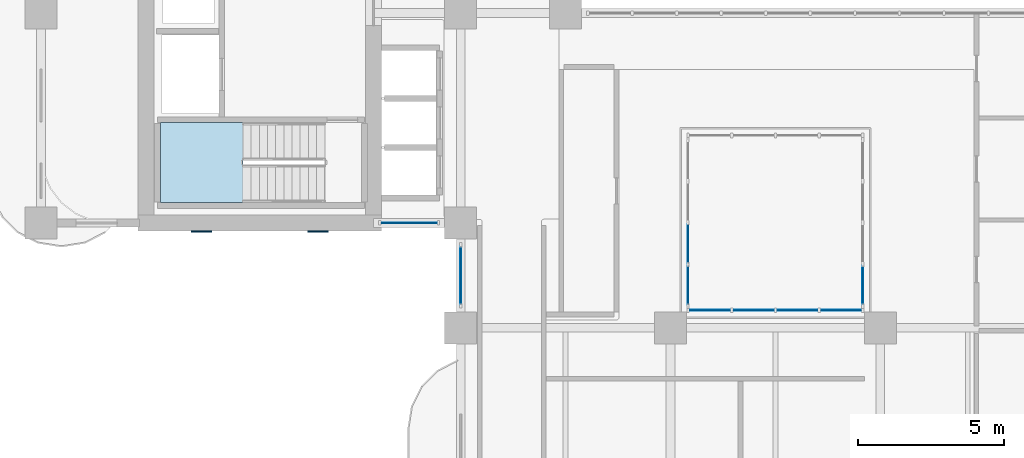
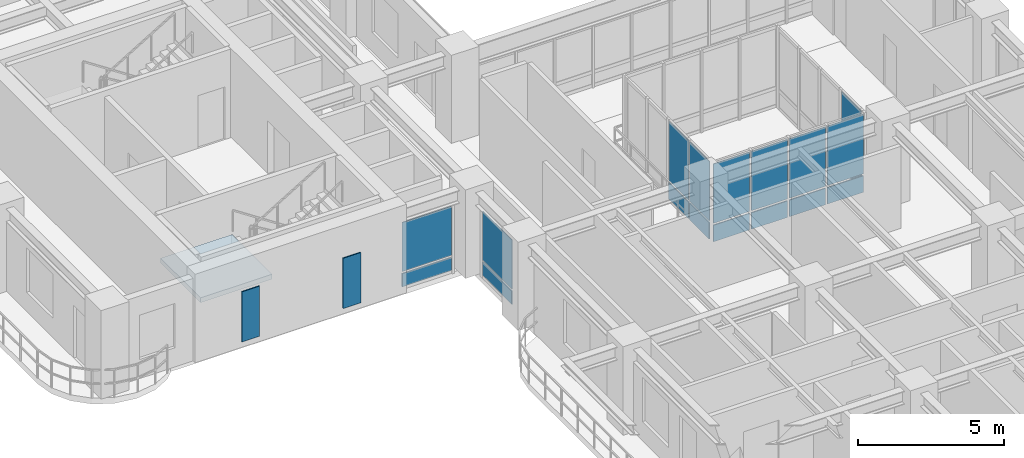
# One storey, part 9 of 22: 20 plates, 1 slab, 6 elements without a shape of their own.
"""IFC4 building model written with IfcOpenShell, lengths in metres."""

from ifc_helpers import new_model, si_unit, derived_unit, direction, frame, origin, origin_2d, place, context, subcontext, project, spatial, polyline, rectangle, outline, extrude, source, transform, mapped, material, layer, layer_set, type_object, type_shapes, element, aggregate, save


model = new_model("IFC4")

# Units and contexts
model_context = context("Model", 3, precision=1e-05, world=origin(), true_north=direction((0.0, 1.0)))
body_context = subcontext(model_context, "Body", "Model", "MODEL_VIEW")
ifc_project = project(units=[si_unit("LENGTHUNIT", "METRE"), si_unit("AREAUNIT", "SQUARE_METRE"), si_unit("VOLUMEUNIT", "CUBIC_METRE"), si_unit("PLANEANGLEUNIT", "RADIAN"), si_unit("MASSUNIT", "GRAM", prefix="KILO"), si_unit("THERMODYNAMICTEMPERATUREUNIT", "KELVIN"), si_unit("POWERUNIT", "WATT"), derived_unit("THERMALTRANSMITTANCEUNIT", [(si_unit("POWERUNIT", "WATT"), 1), (si_unit("AREAUNIT", "SQUARE_METRE"), -1), (si_unit("THERMODYNAMICTEMPERATUREUNIT", "KELVIN"), -1)])], contexts=[model_context])

# Site, building, storey
site_placement = place(None, origin())
site = spatial("IfcSite", under=ifc_project, at=site_placement, CompositionType="ELEMENT")
building_placement = place(site_placement, origin())
building = spatial("IfcBuilding", under=site, at=building_placement, Name="Zahravan Archway Hotel and Residences", CompositionType="ELEMENT")
storey_placement = place(building_placement, frame((0.0, 0.0, 95.300048828125)))
storey = spatial("IfcBuildingStorey", under=building, at=storey_placement, Name="L23", CompositionType="ELEMENT", Elevation=95.300048828125)

# Stair, slab
ifc_material_1 = material(Name="Concrete C50/60", Category="concrete")
stair_type = type_object("IfcStairType", Name="STR-CORE-1300", PredefinedType="HALF_TURN_STAIR", material=ifc_material_1)
stair_placement = place(storey_placement, origin())
stair = element("IfcStair", 1, at=stair_placement, inside=storey, type_object=stair_type, Name="L23 Core B Exit Stair 1", PredefinedType="HALF_TURN_STAIR")
ifc_layer_1 = layer(ifc_material_1, 0.199951171875, Name="Concrete C50/60", Category="concrete")
ifc_layer_set_1 = layer_set([ifc_layer_1], Name="Concrete C50/60")
slab_type = type_object("IfcSlabType", Name="SLB-LND-200", PredefinedType="LANDING", material=ifc_layer_set_1)
slab_placement = place(storey_placement, frame((0.0, 0.0, 1.64990234375)))
slab = element("IfcSlab", 2, at=slab_placement, type_object=slab_type, Name="ST-B1 landing 1", PredefinedType="LANDING", context=body_context, shape_type="SweptSolid", body=[
    extrude(outline(polyline([(6.929931640625, 28.639892578125), (4.10009765625, 28.639892578125), (4.10009765625, 25.89990234375), (6.929931640625, 25.89990234375), (6.929931640625, 28.639892578125)])), origin(), (0.0, 0.0, 1.0), 0.199951171875),
])
aggregate(stair, [slab])

# Plates
ifc_material_2 = material(Name="Perforated Cast Bronze Jali Lattice")
ifc_layer_2 = layer(ifc_material_2, 0.044921875, Name="Perforated Cast Bronze Jali Lattice")
ifc_layer_set_2 = layer_set([ifc_layer_2], Name="Perforated Cast Bronze Jali Lattice")
plate_type_1 = type_object("IfcPlateType", Name="PLT-JALI-BAY", PredefinedType="USERDEFINED", material=ifc_layer_set_2)
shared_shape_1 = source(origin(), body_context, "Body", "SweptSolid", [
    extrude(rectangle(XDim=0.699951171875, YDim=0.044921875, at=origin_2d()), origin(), (0.0, 0.0, 1.0), 2.10009765625),
])
type_shapes(plate_type_1, [shared_shape_1])
for number, where, z_axis, x_axis, name in (
    (3, (5.5, 24.906982421875, 0.25), (0.0, 0.0, 1.0), (1.0, 0.0, 0.0), "L23 Core B South Mughal Jali Screen 1"),
    (4, (9.5, 24.906982421875, 0.25), (0.0, 0.0, 1.0), (1.0, 0.0, 0.0), "L23 Core B South Mughal Jali Screen 2"),
):
    element("IfcPlate", number, at=place(storey_placement, frame(where, z_axis=z_axis, x_axis=x_axis)), inside=storey, type_object=plate_type_1, Name=name, ObjectType="SCREEN", PredefinedType="USERDEFINED", context=body_context, shape_type="MappedRepresentation", body=[
        mapped(shared_shape_1, transform((0.0, 0.0, 0.0), scale=1.0)),
    ])

# Curtain wall, plates
ifc_material_3 = material(Name="Bronze-Anodized Unitised Aluminium & Low-E Glass", Category="aluminium")
ifc_layer_3 = layer(ifc_material_3, 0.179931640625, Name="Bronze-Anodized Unitised Aluminium & Low-E Glass", Category="aluminium")
ifc_layer_set_3 = layer_set([ifc_layer_3], Name="Bronze-Anodized Unitised Aluminium & Low-E Glass")
curtain_wall_type = type_object("IfcCurtainWallType", Name="CW-ATR-GLAZ", PredefinedType="NOTDEFINED", material=ifc_layer_set_3)
curtain_wall_1_placement = place(storey_placement, origin())
curtain_wall_1 = element("IfcCurtainWall", 5, at=curtain_wall_1_placement, inside=storey, type_object=curtain_wall_type, Name="L23 Curtain Wall CW-L23-WB-SE-1", PredefinedType="NOTDEFINED")
ifc_material_4 = material(Name="Insulated Terracotta Spandrel Panel", Category="masonry")
ifc_layer_4 = layer(ifc_material_4, 0.0400390625, Name="Insulated Terracotta Spandrel Panel", Category="masonry")
ifc_layer_set_4 = layer_set([ifc_layer_4], Name="Insulated Terracotta Spandrel Panel")
plate_type_2 = type_object("IfcPlateType", Name="CWP-SPN-40", PredefinedType="SHEET", material=ifc_layer_set_4)
shared_shape_2 = source(origin(), body_context, "Body", "SweptSolid", [
    extrude(rectangle(XDim=1.93994140625, YDim=0.0400390625, at=origin_2d()), origin(), (0.0, 0.0, 1.0), 0.552490234375),
])
plate_1_placement = place(storey_placement, frame((12.6298828125, 25.199951171875, 0.10009765625), z_axis=(0.0, 0.0, 1.0), x_axis=(1.0, 0.0, 0.0)))
plate_1 = element("IfcPlate", 6, at=plate_1_placement, type_object=plate_type_2, Name="CW-L23-WB-SE-1 Spandrel Panel 0", PredefinedType="SHEET", context=body_context, shape_type="MappedRepresentation", body=[
    mapped(shared_shape_2, transform((0.0, 0.0, 0.0), scale=1.0)),
])
ifc_material_5 = material(Name="Double-Silver Low-E Insulated Vision Glass", Category="glass")
ifc_layer_5 = layer(ifc_material_5, 0.028076171875, Name="Double-Silver Low-E Insulated Vision Glass", Category="glass")
ifc_layer_set_5 = layer_set([ifc_layer_5], Name="Double-Silver Low-E Insulated Vision Glass")
plate_type_3 = type_object("IfcPlateType", Name="CWP-GLZ-28", PredefinedType="CURTAIN_PANEL", material=ifc_layer_set_5)
shared_shape_3 = source(origin(), body_context, "Body", "SweptSolid", [
    extrude(rectangle(XDim=1.93994140625, YDim=0.028076171875, at=origin_2d()), origin(), (0.0, 0.0, 1.0), 2.052490234375),
])
plate_2_placement = place(storey_placement, frame((12.6298828125, 25.199951171875, 0.732421875), z_axis=(0.0, 0.0, 1.0), x_axis=(1.0, 0.0, 0.0)))
plate_2 = element("IfcPlate", 7, at=plate_2_placement, type_object=plate_type_3, Name="CW-L23-WB-SE-1 Low-E Vision Panel 0", PredefinedType="CURTAIN_PANEL", context=body_context, shape_type="MappedRepresentation", body=[
    mapped(shared_shape_3, transform((0.0, 0.0, 0.0), scale=1.0)),
])
aggregate(curtain_wall_1, [plate_1, plate_2])

curtain_wall_2_placement = place(storey_placement, origin())
curtain_wall_2 = element("IfcCurtainWall", 8, at=curtain_wall_2_placement, inside=storey, type_object=curtain_wall_type, Name="L23 Curtain Wall CW-L23-WA-WLU-1", PredefinedType="NOTDEFINED")
shared_shape_4 = source(origin(), body_context, "Body", "SweptSolid", [
    extrude(rectangle(XDim=2.0, YDim=0.0400390625, at=origin_2d()), origin(), (0.0, 0.0, 1.0), 0.552490234375),
])
plate_3_placement = place(storey_placement, frame((14.39990234375, 23.39990234375, 0.10009765625), z_axis=(0.0, 0.0, 1.0), x_axis=(0.0, 1.0, 0.0)))
plate_3 = element("IfcPlate", 9, at=plate_3_placement, type_object=plate_type_2, Name="CW-L23-WA-WLU-1 Spandrel Panel 0", PredefinedType="SHEET", context=body_context, shape_type="MappedRepresentation", body=[
    mapped(shared_shape_4, transform((0.0, 0.0, 0.0), scale=1.0)),
])
shared_shape_5 = source(origin(), body_context, "Body", "SweptSolid", [
    extrude(rectangle(XDim=2.0, YDim=0.028076171875, at=origin_2d()), origin(), (0.0, 0.0, 1.0), 2.052490234375),
])
plate_4_placement = place(storey_placement, frame((14.39990234375, 23.39990234375, 0.732421875), z_axis=(0.0, 0.0, 1.0), x_axis=(0.0, 1.0, 0.0)))
plate_4 = element("IfcPlate", 10, at=plate_4_placement, type_object=plate_type_3, Name="CW-L23-WA-WLU-1 Low-E Vision Panel 0", PredefinedType="CURTAIN_PANEL", context=body_context, shape_type="MappedRepresentation", body=[
    mapped(shared_shape_5, transform((0.0, 0.0, 0.0), scale=1.0)),
])
aggregate(curtain_wall_2, [plate_3, plate_4])

curtain_wall_3_placement = place(storey_placement, origin())
curtain_wall_3 = element("IfcCurtainWall", 11, at=curtain_wall_3_placement, inside=storey, type_object=curtain_wall_type, Name="L23 Curtain Wall CW-ATR-L23-S-1", PredefinedType="NOTDEFINED")
shared_shape_6 = source(origin(), body_context, "Body", "SweptSolid", [
    extrude(rectangle(XDim=1.419921875, YDim=0.0400390625, at=origin_2d()), origin(), (0.0, 0.0, 1.0), 0.68798828125),
])
plate_5_placement = place(storey_placement, frame((22.949951171875, 22.199951171875, 0.099853515625), z_axis=(0.0, 0.0, 1.0), x_axis=(1.0, 0.0, 0.0)))
plate_5 = element("IfcPlate", 12, at=plate_5_placement, type_object=plate_type_2, Name="CW-ATR-L23-S-1 Spandrel Panel 0", PredefinedType="SHEET", context=body_context, shape_type="MappedRepresentation", body=[
    mapped(shared_shape_6, transform((0.0, 0.0, 0.0), scale=1.0)),
])
plate_6_placement = place(storey_placement, frame((24.449951171875, 22.199951171875, 0.099853515625), z_axis=(0.0, 0.0, 1.0), x_axis=(1.0, 0.0, 0.0)))
plate_6 = element("IfcPlate", 13, at=plate_6_placement, type_object=plate_type_2, Name="CW-ATR-L23-S-1 Spandrel Panel 1", PredefinedType="SHEET", context=body_context, shape_type="MappedRepresentation", body=[
    mapped(shared_shape_6, transform((0.0, 0.0, 0.0), scale=1.0)),
])
plate_7_placement = place(storey_placement, frame((25.949951171875, 22.199951171875, 0.099853515625), z_axis=(0.0, 0.0, 1.0), x_axis=(1.0, 0.0, 0.0)))
plate_7 = element("IfcPlate", 14, at=plate_7_placement, type_object=plate_type_2, Name="CW-ATR-L23-S-1 Spandrel Panel 2", PredefinedType="SHEET", context=body_context, shape_type="MappedRepresentation", body=[
    mapped(shared_shape_6, transform((0.0, 0.0, 0.0), scale=1.0)),
])
plate_8_placement = place(storey_placement, frame((27.449951171875, 22.199951171875, 0.099853515625), z_axis=(0.0, 0.0, 1.0), x_axis=(1.0, 0.0, 0.0)))
plate_8 = element("IfcPlate", 15, at=plate_8_placement, type_object=plate_type_2, Name="CW-ATR-L23-S-1 Spandrel Panel 3", PredefinedType="SHEET", context=body_context, shape_type="MappedRepresentation", body=[
    mapped(shared_shape_6, transform((0.0, 0.0, 0.0), scale=1.0)),
])
shared_shape_7 = source(origin(), body_context, "Body", "SweptSolid", [
    extrude(rectangle(XDim=1.419921875, YDim=0.028076171875, at=origin_2d()), origin(), (0.0, 0.0, 1.0), 2.48193359375),
])
plate_9_placement = place(storey_placement, frame((22.949951171875, 22.199951171875, 0.867919921875), z_axis=(0.0, 0.0, 1.0), x_axis=(1.0, 0.0, 0.0)))
plate_9 = element("IfcPlate", 16, at=plate_9_placement, type_object=plate_type_3, Name="CW-ATR-L23-S-1 Low-E Vision Panel 0", PredefinedType="CURTAIN_PANEL", context=body_context, shape_type="MappedRepresentation", body=[
    mapped(shared_shape_7, transform((0.0, 0.0, 0.0), scale=1.0)),
])
plate_10_placement = place(storey_placement, frame((24.449951171875, 22.199951171875, 0.867919921875), z_axis=(0.0, 0.0, 1.0), x_axis=(1.0, 0.0, 0.0)))
plate_10 = element("IfcPlate", 17, at=plate_10_placement, type_object=plate_type_3, Name="CW-ATR-L23-S-1 Low-E Vision Panel 1", PredefinedType="CURTAIN_PANEL", context=body_context, shape_type="MappedRepresentation", body=[
    mapped(shared_shape_7, transform((0.0, 0.0, 0.0), scale=1.0)),
])
plate_11_placement = place(storey_placement, frame((25.949951171875, 22.199951171875, 0.867919921875), z_axis=(0.0, 0.0, 1.0), x_axis=(1.0, 0.0, 0.0)))
plate_11 = element("IfcPlate", 18, at=plate_11_placement, type_object=plate_type_3, Name="CW-ATR-L23-S-1 Low-E Vision Panel 2", PredefinedType="CURTAIN_PANEL", context=body_context, shape_type="MappedRepresentation", body=[
    mapped(shared_shape_7, transform((0.0, 0.0, 0.0), scale=1.0)),
])
plate_12_placement = place(storey_placement, frame((27.449951171875, 22.199951171875, 0.867919921875), z_axis=(0.0, 0.0, 1.0), x_axis=(1.0, 0.0, 0.0)))
plate_12 = element("IfcPlate", 19, at=plate_12_placement, type_object=plate_type_3, Name="CW-ATR-L23-S-1 Low-E Vision Panel 3", PredefinedType="CURTAIN_PANEL", context=body_context, shape_type="MappedRepresentation", body=[
    mapped(shared_shape_7, transform((0.0, 0.0, 0.0), scale=1.0)),
])
aggregate(curtain_wall_3, [plate_5, plate_9, plate_6, plate_10, plate_7, plate_11, plate_8, plate_12])

curtain_wall_4_placement = place(storey_placement, origin())
curtain_wall_4 = element("IfcCurtainWall", 20, at=curtain_wall_4_placement, inside=storey, type_object=curtain_wall_type, Name="L23 Curtain Wall CW-ATR-L23-W-1", PredefinedType="NOTDEFINED")
shared_shape_8 = source(origin(), body_context, "Body", "SweptSolid", [
    extrude(rectangle(XDim=1.344970703125, YDim=0.0400390625, at=origin_2d()), origin(), (0.0, 0.0, 1.0), 0.68798828125),
])
plate_13_placement = place(storey_placement, frame((22.199951171875, 23.0625, 0.099853515625), z_axis=(0.0, 0.0, 1.0), x_axis=(0.0, 1.0, 0.0)))
plate_13 = element("IfcPlate", 21, at=plate_13_placement, type_object=plate_type_2, Name="CW-ATR-L23-W-1 Spandrel Panel 0", PredefinedType="SHEET", context=body_context, shape_type="MappedRepresentation", body=[
    mapped(shared_shape_8, transform((0.0, 0.0, 0.0), scale=1.0)),
])
plate_14_placement = place(storey_placement, frame((22.199951171875, 24.487548828125, 0.099853515625), z_axis=(0.0, 0.0, 1.0), x_axis=(0.0, 1.0, 0.0)))
plate_14 = element("IfcPlate", 22, at=plate_14_placement, type_object=plate_type_2, Name="CW-ATR-L23-W-1 Spandrel Panel 1", PredefinedType="SHEET", context=body_context, shape_type="MappedRepresentation", body=[
    mapped(shared_shape_8, transform((0.0, 0.0, 0.0), scale=1.0)),
])

# Curtain wall, plate
curtain_wall_5_placement = place(storey_placement, origin())
curtain_wall_5 = element("IfcCurtainWall", 23, at=curtain_wall_5_placement, inside=storey, type_object=curtain_wall_type, Name="L23 Curtain Wall CW-ATR-L23-E-1", PredefinedType="NOTDEFINED")
plate_15_placement = place(storey_placement, frame((28.199951171875, 23.0625, 0.099853515625), z_axis=(0.0, 0.0, 1.0), x_axis=(0.0, 1.0, 0.0)))
plate_15 = element("IfcPlate", 24, at=plate_15_placement, type_object=plate_type_2, Name="CW-ATR-L23-E-1 Spandrel Panel 0", PredefinedType="SHEET", context=body_context, shape_type="MappedRepresentation", body=[
    mapped(shared_shape_8, transform((0.0, 0.0, 0.0), scale=1.0)),
])

# Plate
shared_shape_9 = source(origin(), body_context, "Body", "SweptSolid", [
    extrude(rectangle(XDim=1.344970703125, YDim=0.028076171875, at=origin_2d()), origin(), (0.0, 0.0, 1.0), 2.48193359375),
])
plate_16_placement = place(storey_placement, frame((22.199951171875, 23.0625, 0.867919921875), z_axis=(0.0, 0.0, 1.0), x_axis=(0.0, 1.0, 0.0)))
plate_16 = element("IfcPlate", 25, at=plate_16_placement, type_object=plate_type_3, Name="CW-ATR-L23-W-1 Low-E Vision Panel 0", PredefinedType="CURTAIN_PANEL", context=body_context, shape_type="MappedRepresentation", body=[
    mapped(shared_shape_9, transform((0.0, 0.0, 0.0), scale=1.0)),
])

plate_17_placement = place(storey_placement, frame((22.199951171875, 24.487548828125, 0.867919921875), z_axis=(0.0, 0.0, 1.0), x_axis=(0.0, 1.0, 0.0)))
plate_17 = element("IfcPlate", 26, at=plate_17_placement, type_object=plate_type_3, Name="CW-ATR-L23-W-1 Low-E Vision Panel 1", PredefinedType="CURTAIN_PANEL", context=body_context, shape_type="MappedRepresentation", body=[
    mapped(shared_shape_9, transform((0.0, 0.0, 0.0), scale=1.0)),
])

aggregate(curtain_wall_4, [plate_13, plate_16, plate_14, plate_17])

plate_18_placement = place(storey_placement, frame((28.199951171875, 23.0625, 0.867919921875), z_axis=(0.0, 0.0, 1.0), x_axis=(0.0, 1.0, 0.0)))
plate_18 = element("IfcPlate", 27, at=plate_18_placement, type_object=plate_type_3, Name="CW-ATR-L23-E-1 Low-E Vision Panel 0", PredefinedType="CURTAIN_PANEL", context=body_context, shape_type="MappedRepresentation", body=[
    mapped(shared_shape_9, transform((0.0, 0.0, 0.0), scale=1.0)),
])

aggregate(curtain_wall_5, [plate_15, plate_18])

save(model, "model.ifc")
